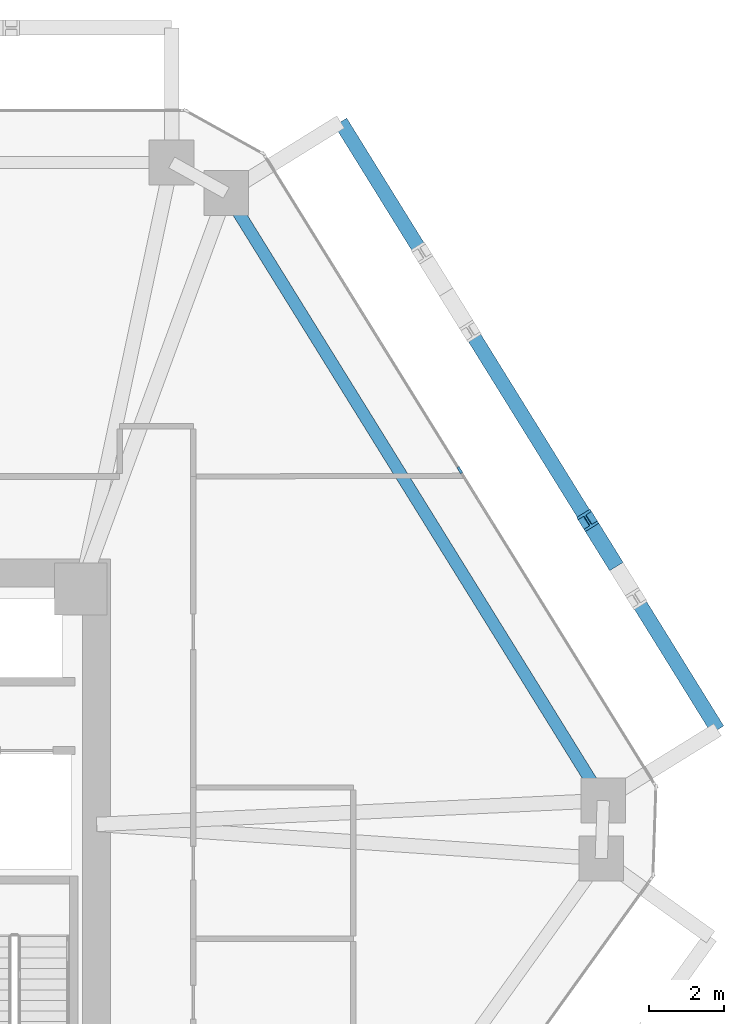
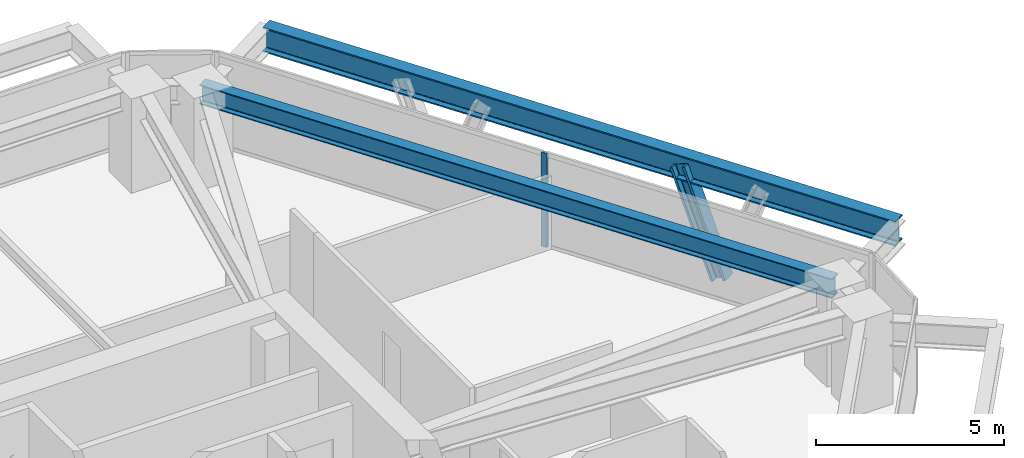
# One storey, part 6 of 13: 2 beams, 2 members, 1 element without a shape of its own.
"""IFC4 building model written with IfcOpenShell, lengths in metres."""

from ifc_helpers import new_model, si_unit, direction, frame, origin, origin_2d, place, context, subcontext, project, spatial, rectangle, i_section, extrude, source, transform, mapped, material, layer, layer_set, material_profile, profile_set, type_object, type_shapes, element, aggregate, save


model = new_model("IFC4")

# Units and contexts
model_context = context("Model", 3, precision=1e-05, world=origin(), true_north=direction((0.0, 1.0)))
body_context = subcontext(model_context, "Body", "Model", "MODEL_VIEW")
ifc_project = project(units=[si_unit("LENGTHUNIT", "METRE"), si_unit("AREAUNIT", "SQUARE_METRE"), si_unit("VOLUMEUNIT", "CUBIC_METRE"), si_unit("PLANEANGLEUNIT", "RADIAN"), si_unit("MASSUNIT", "GRAM", prefix="KILO")], contexts=[model_context])

# Site, building, storey
site_placement = place(None, origin())
site = spatial("IfcSite", under=ifc_project, at=site_placement, CompositionType="ELEMENT")
building_placement = place(site_placement, origin())
building = spatial("IfcBuilding", under=site, at=building_placement, Name="Durnholm Broadcast Tower", CompositionType="ELEMENT")
storey_placement = place(building_placement, frame((0.0, 0.0, 100.800048828125)))
storey = spatial("IfcBuildingStorey", under=building, at=storey_placement, Name="L26", CompositionType="ELEMENT", Elevation=100.800048828125)

# Beams
ifc_material_1 = material(Name="Steel ASTM A992 Grade 50", Category="steel")
ifc_material_profile_1 = material_profile(ifc_material_1, i_section(OverallWidth=0.3291015625, OverallDepth=0.635009765625, WebThickness=0.017822265625, FlangeThickness=0.031005859375, FilletRadius=0.02783203125, at=origin_2d()), Name="W24X162")
ifc_profile_set_1 = profile_set([ifc_material_profile_1], Name="Steel ASTM A992 Grade 50")
beam_type_1 = type_object("IfcBeamType", Name="STL-SP-W24X162", PredefinedType="SPANDREL", material=ifc_profile_set_1)
shared_shape_1 = source(origin(), body_context, "Body", "SweptSolid", [
    extrude(i_section(OverallWidth=0.3291015625, OverallDepth=0.635009765625, WebThickness=0.017822265625, FlangeThickness=0.031005859375, FilletRadius=0.02783203125, at=origin_2d()), origin(), (0.0, 0.0, 1.0), 19.139404296875),
])
type_shapes(beam_type_1, [shared_shape_1])
beam_1_placement = place(storey_placement, frame((13.692138671875, 18.4013671875, 2.7275390625), z_axis=(0.527111038734, -0.84979641847, 0.0), x_axis=(0.84979641847, 0.527111038734, 0.0)))
element("IfcBeam", 1, at=beam_1_placement, inside=storey, type_object=beam_type_1, Name="L26 perimeter spandrel girder 07", PredefinedType="SPANDREL", context=body_context, shape_type="MappedRepresentation", body=[
    mapped(shared_shape_1, transform((0.0, 0.0, 0.0), x_axis=(1.0, 0.0, 0.0), y_axis=(0.0, 1.0, 0.0), z_axis=(0.0, 0.0, 1.0), scale=1.0)),
])
ifc_material_profile_2 = material_profile(ifc_material_1, i_section(OverallWidth=0.385009765625, OverallDepth=0.802978515625, WebThickness=0.023681640625, FlangeThickness=0.0419921875, FilletRadius=0.032958984375, at=origin_2d()), Name="W30X261")
ifc_profile_set_2 = profile_set([ifc_material_profile_2], Name="Steel ASTM A992 Grade 50")
beam_type_2 = type_object("IfcBeamType", Name="BM-EXO-TIE", PredefinedType="USERDEFINED", material=ifc_profile_set_2)
shared_shape_2 = source(origin(), body_context, "Body", "SweptSolid", [
    extrude(i_section(OverallWidth=0.385009765625, OverallDepth=0.802978515625, WebThickness=0.023681640625, FlangeThickness=0.0419921875, FilletRadius=0.032958984375, at=origin_2d()), origin(), (0.0, 0.0, 1.0), 19.139404296875),
])
type_shapes(beam_type_2, [shared_shape_2])
beam_2_placement = place(storey_placement, frame((26.840087890625, 4.0341796875, 2.30859375), z_axis=(-0.527111038734, 0.84979641847, 0.0), x_axis=(-0.84979641847, -0.527111038734, 0.0)))
element("IfcBeam", 2, at=beam_2_placement, inside=storey, type_object=beam_type_2, Name="L26 exoskeleton collector spandrel F3", PredefinedType="SPANDREL", context=body_context, shape_type="MappedRepresentation", body=[
    mapped(shared_shape_2, transform((0.0, 0.0, 0.0), x_axis=(1.0, 0.0, 0.0), y_axis=(0.0, 1.0, 0.0), z_axis=(0.0, 0.0, 1.0), scale=1.0)),
])

# Member
ifc_material_2 = material(Name="Steel ASTM A913 Grade 65", Category="steel")
ifc_material_profile_3 = material_profile(ifc_material_2, i_section(OverallWidth=0.424072265625, OverallDepth=0.47412109375, WebThickness=0.047607421875, FlangeThickness=0.0771484375, FilletRadius=0.030517578125, at=origin_2d()), Name="W14X426")
ifc_profile_set_3 = profile_set([ifc_material_profile_3], Name="Steel ASTM A913 Grade 65")
member_type_1 = type_object("IfcMemberType", Name="STL-DG-W14X426", PredefinedType="BRACE", material=ifc_profile_set_3)
shared_shape_3 = source(origin(), body_context, "Body", "SweptSolid", [
    extrude(i_section(OverallWidth=0.424072265625, OverallDepth=0.47412109375, WebThickness=0.047607421875, FlangeThickness=0.0771484375, FilletRadius=0.030517578125, at=origin_2d()), origin(), (0.0, 0.0, 1.0), 3.523193359375),
])
type_shapes(member_type_1, [shared_shape_3])
member_1_placement = place(storey_placement, frame((24.01513671875, 8.58837890625, -0.991455078125), z_axis=(-0.184606642766, 0.297560406921, 0.936684681032), x_axis=(-0.849750220063, -0.527185511469, 0.0)))
element("IfcMember", 3, at=member_1_placement, inside=storey, type_object=member_type_1, Name="L26 stand-off diagrid brace F3.D1.2", PredefinedType="BRACE", context=body_context, shape_type="MappedRepresentation", body=[
    mapped(shared_shape_3, transform((0.0, 0.0, 0.0), x_axis=(1.0, 0.0, 0.0), y_axis=(0.0, 1.0, 0.0), z_axis=(0.0, 0.0, 1.0), scale=1.0)),
])

# Curtain wall, member
ifc_material_3 = material(Name="Aluminium and Solar Control IGU", Category="aluminium")
ifc_layer = layer(ifc_material_3, 0.18994140625)
ifc_layer_set = layer_set([ifc_layer], Name="Aluminium and Solar Control IGU")
curtain_wall_type = type_object("IfcCurtainWallType", Name="CW-SYS-3", PredefinedType="NOTDEFINED", material=ifc_layer_set)
curtain_wall_placement = place(storey_placement, origin())
curtain_wall = element("IfcCurtainWall", 4, at=curtain_wall_placement, inside=storey, type_object=curtain_wall_type, Name="L26 curtain wall CW-Z12-VIS CW-L26-F06", PredefinedType="NOTDEFINED")
ifc_material_4 = material(Name="Aluminium 6063-T6", Category="aluminium")
ifc_material_profile_4 = material_profile(ifc_material_4, rectangle(XDim=0.070068359375, YDim=0.18994140625, at=origin_2d()), Name="CWM70X190")
ifc_profile_set_4 = profile_set([ifc_material_profile_4], Name="Aluminium 6063-T6")
member_type_2 = type_object("IfcMemberType", Name="CW-SYS-3-MUL", PredefinedType="MULLION", material=ifc_profile_set_4)
shared_shape_4 = source(origin(), body_context, "Body", "SweptSolid", [
    extrude(rectangle(XDim=0.070068359375, YDim=0.18994140625, at=origin_2d()), origin(), (0.0, 0.0, 1.0), 3.06005859375),
])
type_shapes(member_type_2, [shared_shape_4])
member_2_placement = place(storey_placement, frame((19.9423828125, 10.980712890625, 0.0), z_axis=(0.0, 0.0, 1.0), x_axis=(0.849799925229, 0.527105385176, 0.0)))
member_2 = element("IfcMember", 5, at=member_2_placement, type_object=member_type_2, Name="CW-Z12-VIS mullion 2", PredefinedType="MULLION", context=body_context, shape_type="MappedRepresentation", body=[
    mapped(shared_shape_4, transform((0.0, 0.0, 0.0), x_axis=(1.0, 0.0, 0.0), y_axis=(0.0, 1.0, 0.0), z_axis=(0.0, 0.0, 1.0), scale=1.0)),
])
aggregate(curtain_wall, [member_2])

save(model, "model.ifc")
